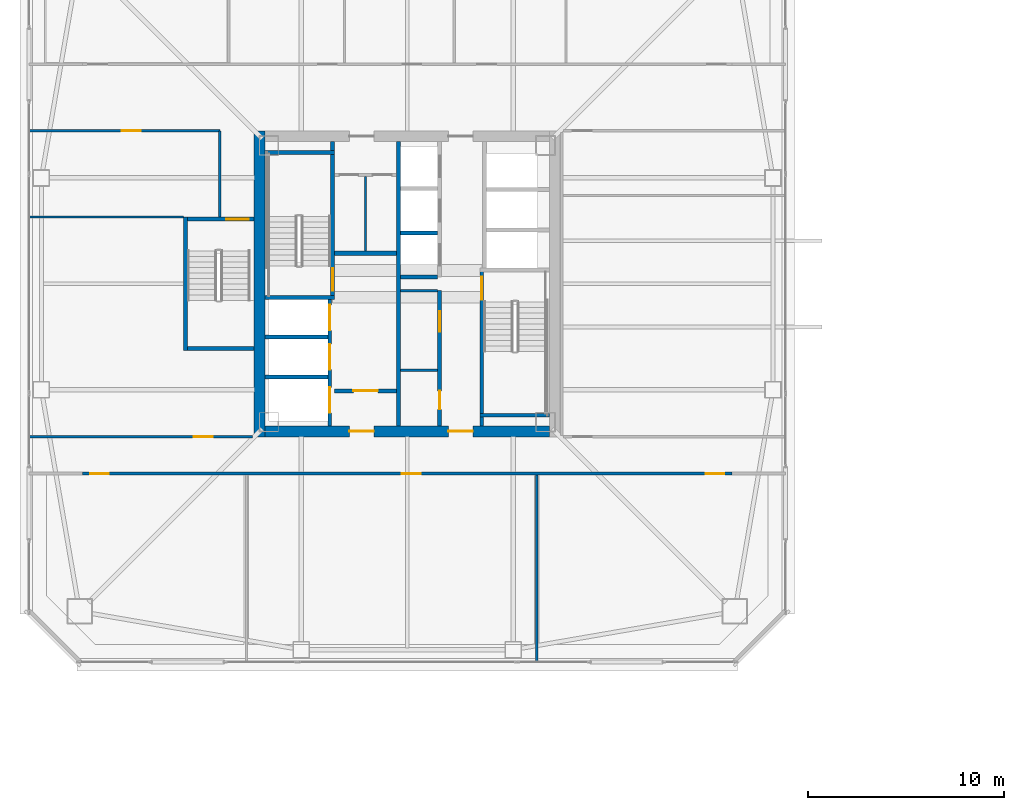
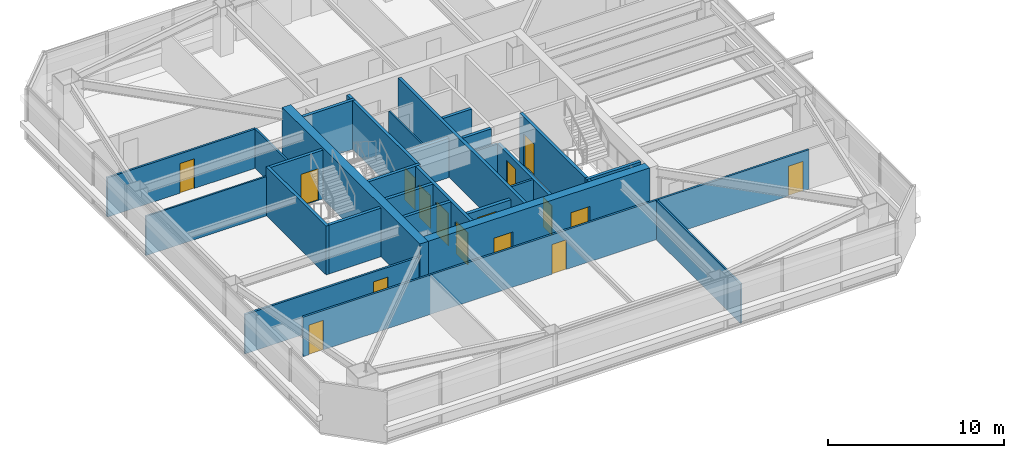
# One storey, part 36 of 46: 28 walls, 16 doors, 16 openings.
"""IFC4 building model written with IfcOpenShell, lengths in metres."""

from ifc_helpers import new_model, si_unit, direction, frame, frame_2d, origin, place, context, subcontext, project, spatial, rectangle, extrude, material, layer, layer_set, type_object, element, fill, save


model = new_model("IFC4")

# Units and contexts
model_context = context("Model", 3, precision=1e-05, world=origin(), true_north=direction((0.0, 1.0)))
body_context = subcontext(model_context, "Body", "Model", "MODEL_VIEW")
ifc_project = project(units=[si_unit("LENGTHUNIT", "METRE"), si_unit("AREAUNIT", "SQUARE_METRE"), si_unit("VOLUMEUNIT", "CUBIC_METRE"), si_unit("PLANEANGLEUNIT", "RADIAN"), si_unit("MASSUNIT", "GRAM", prefix="KILO")], contexts=[model_context])

# Site, building, storey
site_placement = place(None, origin())
site = spatial("IfcSite", under=ifc_project, at=site_placement, CompositionType="ELEMENT")
building_placement = place(site_placement, origin())
building = spatial("IfcBuilding", under=site, at=building_placement, Name="Tashvorn Skyway Center", CompositionType="ELEMENT")
storey_placement = place(building_placement, frame((0.0, 0.0, 139.25)))
storey = spatial("IfcBuildingStorey", under=building, at=storey_placement, Name="L37", CompositionType="ELEMENT", Elevation=139.25)

# Wall
ifc_material_1 = material(Name="Concrete C60/75", Category="concrete")
ifc_layer_1 = layer(ifc_material_1, 0.550048828125)
ifc_layer_set_1 = layer_set([ifc_layer_1], Name="Concrete C60/75")
wall_type_1 = type_object("IfcWallType", Name="WALL-CORE-550", PredefinedType="SHEAR", material=ifc_layer_set_1)
wall_1_placement = place(storey_placement, frame((34.47509765625, 24.199951171875, 0.0), z_axis=(0.0, 0.0, 1.0), x_axis=(0.0, 1.0, 0.0)))
element("IfcWall", 1, at=wall_1_placement, inside=storey, type_object=wall_type_1, Name="Tower 1 L37 West Core Shear Wall", PredefinedType="SHEAR", context=body_context, shape_type="SweptSolid", body=[
    extrude(rectangle(XDim=15.60009765625, YDim=0.550048828125, at=frame_2d((7.800048828125, 0.0))), origin(), (0.0, 0.0, 1.0), 3.550048828125),
])

# Wall, openings, doors
wall_2_placement = place(storey_placement, frame((49.25, 24.47509765625, 0.0), z_axis=(0.0, 0.0, 1.0), x_axis=(-1.0, 0.0, 0.0)))
wall_2 = element("IfcWall", 2, at=wall_2_placement, inside=storey, type_object=wall_type_1, Name="Tower 1 L37 South Core Shear Wall", PredefinedType="SHEAR", context=body_context, shape_type="SweptSolid", body=[
    extrude(rectangle(XDim=14.5, YDim=0.550048828125, at=frame_2d((7.25, 0.0))), origin(), (0.0, 0.0, 1.0), 3.550048828125),
])
opening_1_placement = place(wall_2_placement, frame((8.949951171875, 0.0, 0.0)))
opening_1 = element("IfcOpeningElement", 3, at=opening_1_placement, cuts=wall_2, Name="Opening D-FFL-1250", PredefinedType="OPENING", context=body_context, shape_type="SweptSolid", body=[
    extrude(rectangle(XDim=1.25, YDim=2.25, at=frame_2d((0.625, 1.125))), frame((0.0, 0.284912109375, 0.0), z_axis=(0.0, -1.0, 0.0), x_axis=(1.0, 0.0, 0.0)), (0.0, 0.0, 1.0), 0.570068359375),
])
opening_2_placement = place(wall_2_placement, frame((3.89990234375, 0.0, 0.0)))
opening_2 = element("IfcOpeningElement", 4, at=opening_2_placement, cuts=wall_2, Name="Opening D-FFL-1250", PredefinedType="OPENING", context=body_context, shape_type="SweptSolid", body=[
    extrude(rectangle(XDim=1.25, YDim=2.25, at=frame_2d((0.625, 1.125))), frame((0.0, 0.284912109375, 0.0), z_axis=(0.0, -1.0, 0.0), x_axis=(1.0, 0.0, 0.0)), (0.0, 0.0, 1.0), 0.570068359375),
])
ifc_material_2 = material(Name="Hollow galvanized steel fire door assembly", Category="steel")
door_type_1 = type_object("IfcDoorType", Name="DOOR-FFL-1250", OperationType="NOTDEFINED", PredefinedType="DOOR", material=ifc_material_2)
door_1_placement = place(opening_1_placement, origin())
door_1 = element("IfcDoor", 5, at=door_1_placement, inside=storey, type_object=door_type_1, Name="Tower 1 L37 Core South Firefighting Exit Door", OperationType="SINGLE_SWING_LEFT", OverallHeight=2.25, OverallWidth=1.25, PredefinedType="DOOR", context=body_context, shape_type="SweptSolid", body=[
    extrude(rectangle(XDim=1.25, YDim=2.25, at=frame_2d((0.625, 1.125))), frame((0.0, 0.02490234375, 0.0), z_axis=(0.0, -1.0, 0.0), x_axis=(1.0, 0.0, 0.0)), (0.0, 0.0, 1.0), 0.050048828125),
])
fill(opening_1, door_1)
door_2_placement = place(opening_2_placement, origin())
door_2 = element("IfcDoor", 6, at=door_2_placement, inside=storey, type_object=door_type_1, Name="Tower 1 L37 Core South Lift Lobby Door", OperationType="SINGLE_SWING_RIGHT", OverallHeight=2.25, OverallWidth=1.25, PredefinedType="DOOR", context=body_context, shape_type="SweptSolid", body=[
    extrude(rectangle(XDim=1.25, YDim=2.25, at=frame_2d((0.625, 1.125))), frame((0.0, 0.02490234375, 0.0), z_axis=(0.0, -1.0, 0.0), x_axis=(1.0, 0.0, 0.0)), (0.0, 0.0, 1.0), 0.050048828125),
])
fill(opening_2, door_2)

# Wall
ifc_material_3 = material(Name="Concrete C40/50", Category="concrete")
ifc_layer_2 = layer(ifc_material_3, 0.219970703125)
ifc_layer_set_2 = layer_set([ifc_layer_2], Name="Concrete C40/50")
wall_type_2 = type_object("IfcWallType", Name="WALL-FFL-220", PredefinedType="SOLIDWALL", material=ifc_layer_set_2)
wall_3_placement = place(storey_placement, frame((38.300048828125, 33.56005859375, 0.0), z_axis=(0.0, 0.0, 1.0), x_axis=(1.0, 0.0, 0.0)))
element("IfcWall", 7, at=wall_3_placement, inside=storey, type_object=wall_type_2, Name="Tower 1 L37 Firefighting Lobby North Wall", PredefinedType="SOLIDWALL", context=body_context, shape_type="SweptSolid", body=[
    extrude(rectangle(XDim=3.14990234375, YDim=0.219970703125, at=frame_2d((1.574951171875, 0.0))), origin(), (0.0, 0.0, 1.0), 2.722900390625),
])

# Wall, opening, door
wall_4_placement = place(storey_placement, frame((38.300048828125, 26.5400390625, 0.0), z_axis=(0.0, 0.0, 1.0), x_axis=(1.0, 0.0, 0.0)))
wall_4 = element("IfcWall", 8, at=wall_4_placement, inside=storey, type_object=wall_type_2, Name="Tower 1 L37 Firefighting Lobby South Wall", PredefinedType="SOLIDWALL", context=body_context, shape_type="SweptSolid", body=[
    extrude(rectangle(XDim=3.14990234375, YDim=0.219970703125, at=frame_2d((1.574951171875, 0.0))), origin(), (0.0, 0.0, 1.0), 2.722900390625),
])
opening_3_placement = place(wall_4_placement, frame((0.949951171875, 0.0, 0.0)))
opening_3 = element("IfcOpeningElement", 9, at=opening_3_placement, cuts=wall_4, Name="Opening D-FFL-1250", PredefinedType="OPENING", context=body_context, shape_type="SweptSolid", body=[
    extrude(rectangle(XDim=1.25, YDim=2.25, at=frame_2d((0.625, 1.125))), frame((0.0, 0.119873046875, 0.0), z_axis=(0.0, -1.0, 0.0), x_axis=(1.0, 0.0, 0.0)), (0.0, 0.0, 1.0), 0.239990234375),
])
door_3_placement = place(opening_3_placement, origin())
door_3 = element("IfcDoor", 10, at=door_3_placement, inside=storey, type_object=door_type_1, Name="Tower 1 L37 Firefighting Lobby Egress Door", OperationType="SINGLE_SWING_LEFT", OverallHeight=2.25, OverallWidth=1.25, PredefinedType="DOOR", context=body_context, shape_type="SweptSolid", body=[
    extrude(rectangle(XDim=1.25, YDim=2.25, at=frame_2d((0.625, 1.125))), frame((0.0, 0.02490234375, 0.0), z_axis=(0.0, -1.0, 0.0), x_axis=(1.0, 0.0, 0.0)), (0.0, 0.0, 1.0), 0.050048828125),
])
fill(opening_3, door_3)

# Walls
ifc_material_4 = material(Name="Gypsum board on cold-formed steel stud framing", Category="steel")
ifc_layer_3 = layer(ifc_material_4, 0.110107421875)
ifc_layer_set_3 = layer_set([ifc_layer_3], Name="Gypsum board on cold-formed steel stud framing")
wall_type_3 = type_object("IfcWallType", Name="WALL-PART-110", PredefinedType="PARTITIONING", material=ifc_layer_set_3)
wall_5_placement = place(storey_placement, frame((48.60009765625, 12.719970703125, 0.0), z_axis=(0.0, 0.0, 1.0), x_axis=(0.0, 1.0, 0.0)))
element("IfcWall", 11, at=wall_5_placement, inside=storey, type_object=wall_type_3, Name="Tower 1 L37 South Suite Partition 2", PredefinedType="PARTITIONING", context=body_context, shape_type="SweptSolid", body=[
    extrude(rectangle(XDim=9.530029296875, YDim=0.110107421875, at=frame_2d((4.76513671875, 0.0))), origin(), (0.0, 0.0, 1.0), 2.722900390625),
])
wall_6_placement = place(storey_placement, frame((30.60009765625, 35.39990234375, 0.0), z_axis=(0.0, 0.0, 1.0), x_axis=(-1.0, 0.0, 0.0)))
element("IfcWall", 12, at=wall_6_placement, inside=storey, type_object=wall_type_3, Name="Tower 1 L37 West Suite Partition 1", PredefinedType="PARTITIONING", context=body_context, shape_type="SweptSolid", body=[
    extrude(rectangle(XDim=7.880126953125, YDim=0.110107421875, at=frame_2d((3.93994140625, 0.0))), origin(), (0.0, 0.0, 1.0), 2.722900390625),
])
ifc_layer_4 = layer(ifc_material_4, 0.135009765625)
ifc_layer_set_4 = layer_set([ifc_layer_4], Name="Gypsum board on cold-formed steel stud framing")
wall_type_4 = type_object("IfcWallType", Name="WALL-PART-135", PredefinedType="PARTITIONING", material=ifc_layer_set_4)
wall_7_placement = place(storey_placement, frame((32.449951171875, 35.39990234375, 0.0), z_axis=(0.0, 0.0, 1.0), x_axis=(0.0, 1.0, 0.0)))
element("IfcWall", 13, at=wall_7_placement, inside=storey, type_object=wall_type_4, Name="Tower 1 L37 Stair 3 Access Corridor Wall", PredefinedType="PARTITIONING", context=body_context, shape_type="SweptSolid", body=[
    extrude(rectangle(XDim=4.400146484375, YDim=0.135009765625, at=frame_2d((2.2001953125, 0.0))), origin(), (0.0, 0.0, 1.0), 2.722900390625),
])

# Wall, openings, doors
wall_8_placement = place(storey_placement, frame((58.550048828125, 22.330078125, 0.0), z_axis=(0.0, 0.0, 1.0), x_axis=(-1.0, 0.0, 0.0)))
wall_8 = element("IfcWall", 14, at=wall_8_placement, inside=storey, type_object=wall_type_4, Name="Tower 1 L37 South Suite Wall", PredefinedType="PARTITIONING", context=body_context, shape_type="SweptSolid", body=[
    extrude(rectangle(XDim=33.10009765625, YDim=0.135009765625, at=frame_2d((16.550048828125, 0.0))), origin(), (0.0, 0.0, 1.0), 2.722900390625),
])
opening_4_placement = place(wall_8_placement, frame((31.77001953125, 0.0, 0.0)))
opening_4 = element("IfcOpeningElement", 15, at=opening_4_placement, cuts=wall_8, Name="Opening D-INT-950", PredefinedType="OPENING", context=body_context, shape_type="SweptSolid", body=[
    extrude(rectangle(XDim=0.949951171875, YDim=2.050048828125, at=frame_2d((0.47509765625, 1.02490234375))), frame((0.0, 0.077392578125, 0.0), z_axis=(0.0, -1.0, 0.0), x_axis=(1.0, 0.0, 0.0)), (0.0, 0.0, 1.0), 0.155029296875),
])
opening_5_placement = place(wall_8_placement, frame((15.8681640625, 0.0, 0.0)))
opening_5 = element("IfcOpeningElement", 16, at=opening_5_placement, cuts=wall_8, Name="Opening D-INT-950", PredefinedType="OPENING", context=body_context, shape_type="SweptSolid", body=[
    extrude(rectangle(XDim=0.949951171875, YDim=2.050048828125, at=frame_2d((0.47509765625, 1.02490234375))), frame((0.0, 0.077392578125, 0.0), z_axis=(0.0, -1.0, 0.0), x_axis=(1.0, 0.0, 0.0)), (0.0, 0.0, 1.0), 0.155029296875),
])
opening_6_placement = place(wall_8_placement, frame((0.3798828125, 0.0, 0.0)))
opening_6 = element("IfcOpeningElement", 17, at=opening_6_placement, cuts=wall_8, Name="Opening D-INT-950", PredefinedType="OPENING", context=body_context, shape_type="SweptSolid", body=[
    extrude(rectangle(XDim=0.949951171875, YDim=2.050048828125, at=frame_2d((0.47509765625, 1.02490234375))), frame((0.0, 0.077392578125, 0.0), z_axis=(0.0, -1.0, 0.0), x_axis=(1.0, 0.0, 0.0)), (0.0, 0.0, 1.0), 0.155029296875),
])
ifc_material_5 = material(Name="Solid-core architectural oak veneer door")
door_type_2 = type_object("IfcDoorType", Name="DOOR-INT-950", OperationType="NOTDEFINED", PredefinedType="DOOR", material=ifc_material_5)
door_4_placement = place(opening_4_placement, origin())
door_4 = element("IfcDoor", 18, at=door_4_placement, inside=storey, type_object=door_type_2, Name="Tower 1 L37 Research Library Door", OperationType="SINGLE_SWING_LEFT", OverallHeight=2.050048828125, OverallWidth=0.949951171875, PredefinedType="DOOR", context=body_context, shape_type="SweptSolid", body=[
    extrude(rectangle(XDim=0.949951171875, YDim=2.050048828125, at=frame_2d((0.47509765625, 1.02490234375))), frame((0.0, 0.02490234375, 0.0), z_axis=(0.0, -1.0, 0.0), x_axis=(1.0, 0.0, 0.0)), (0.0, 0.0, 1.0), 0.050048828125),
])
fill(opening_4, door_4)
door_5_placement = place(opening_5_placement, origin())
door_5 = element("IfcDoor", 19, at=door_5_placement, inside=storey, type_object=door_type_2, Name="Tower 1 L37 Security Control Room Door", OperationType="SINGLE_SWING_RIGHT", OverallHeight=2.050048828125, OverallWidth=0.949951171875, PredefinedType="DOOR", context=body_context, shape_type="SweptSolid", body=[
    extrude(rectangle(XDim=0.949951171875, YDim=2.050048828125, at=frame_2d((0.47509765625, 1.02490234375))), frame((0.0, 0.02490234375, 0.0), z_axis=(0.0, -1.0, 0.0), x_axis=(1.0, 0.0, 0.0)), (0.0, 0.0, 1.0), 0.050048828125),
])
fill(opening_5, door_5)
door_6_placement = place(opening_6_placement, origin())
door_6 = element("IfcDoor", 20, at=door_6_placement, inside=storey, type_object=door_type_2, Name="Tower 1 L37 Security Control Room Door", OperationType="SINGLE_SWING_LEFT", OverallHeight=2.050048828125, OverallWidth=0.949951171875, PredefinedType="DOOR", context=body_context, shape_type="SweptSolid", body=[
    extrude(rectangle(XDim=0.949951171875, YDim=2.050048828125, at=frame_2d((0.47509765625, 1.02490234375))), frame((0.0, 0.02490234375, 0.0), z_axis=(0.0, -1.0, 0.0), x_axis=(1.0, 0.0, 0.0)), (0.0, 0.0, 1.0), 0.050048828125),
])
fill(opening_6, door_6)

# Wall, opening, door
wall_9_placement = place(storey_placement, frame((32.449951171875, 39.800048828125, 0.0), z_axis=(0.0, 0.0, 1.0), x_axis=(-1.0, 0.0, 0.0)))
wall_9 = element("IfcWall", 21, at=wall_9_placement, inside=storey, type_object=wall_type_4, Name="Tower 1 L37 West Suite North Wall", PredefinedType="PARTITIONING", context=body_context, shape_type="SweptSolid", body=[
    extrude(rectangle(XDim=9.72998046875, YDim=0.135009765625, at=frame_2d((4.864990234375, 0.0))), origin(), (0.0, 0.0, 1.0), 2.722900390625),
])
opening_7_placement = place(wall_9_placement, frame((4.0400390625, 0.0, 0.0)))
opening_7 = element("IfcOpeningElement", 22, at=opening_7_placement, cuts=wall_9, Name="Opening D-INT-950", PredefinedType="OPENING", context=body_context, shape_type="SweptSolid", body=[
    extrude(rectangle(XDim=0.949951171875, YDim=2.050048828125, at=frame_2d((0.47509765625, 1.02490234375))), frame((0.0, 0.077392578125, 0.0), z_axis=(0.0, -1.0, 0.0), x_axis=(1.0, 0.0, 0.0)), (0.0, 0.0, 1.0), 0.155029296875),
])
door_7_placement = place(opening_7_placement, origin())
door_7 = element("IfcDoor", 23, at=door_7_placement, inside=storey, type_object=door_type_2, Name="Tower 1 L37 Design Studio Door", OperationType="SINGLE_SWING_RIGHT", OverallHeight=2.050048828125, OverallWidth=0.949951171875, PredefinedType="DOOR", context=body_context, shape_type="SweptSolid", body=[
    extrude(rectangle(XDim=0.949951171875, YDim=2.050048828125, at=frame_2d((0.47509765625, 1.02490234375))), frame((0.0, 0.02490234375, 0.0), z_axis=(0.0, -1.0, 0.0), x_axis=(1.0, 0.0, 0.0)), (0.0, 0.0, 1.0), 0.050048828125),
])
fill(opening_7, door_7)

wall_10_placement = place(storey_placement, frame((22.719970703125, 24.199951171875, 0.0), z_axis=(0.0, 0.0, 1.0), x_axis=(1.0, 0.0, 0.0)))
wall_10 = element("IfcWall", 24, at=wall_10_placement, inside=storey, type_object=wall_type_4, Name="Tower 1 L37 West Suite South Wall", PredefinedType="PARTITIONING", context=body_context, shape_type="SweptSolid", body=[
    extrude(rectangle(XDim=11.400146484375, YDim=0.135009765625, at=frame_2d((5.7001953125, 0.0))), origin(), (0.0, 0.0, 1.0), 2.722900390625),
])
opening_8_placement = place(wall_10_placement, frame((8.405029296875, 0.0, 0.0)))
opening_8 = element("IfcOpeningElement", 25, at=opening_8_placement, cuts=wall_10, Name="Opening D-INT-950", PredefinedType="OPENING", context=body_context, shape_type="SweptSolid", body=[
    extrude(rectangle(XDim=0.949951171875, YDim=2.050048828125, at=frame_2d((0.47509765625, 1.02490234375))), frame((0.0, 0.077392578125, 0.0), z_axis=(0.0, -1.0, 0.0), x_axis=(1.0, 0.0, 0.0)), (0.0, 0.0, 1.0), 0.155029296875),
])
door_8_placement = place(opening_8_placement, origin())
door_8 = element("IfcDoor", 26, at=door_8_placement, inside=storey, type_object=door_type_2, Name="Tower 1 L37 Public Restroom Door", OperationType="SINGLE_SWING_LEFT", OverallHeight=2.050048828125, OverallWidth=0.949951171875, PredefinedType="DOOR", context=body_context, shape_type="SweptSolid", body=[
    extrude(rectangle(XDim=0.949951171875, YDim=2.050048828125, at=frame_2d((0.47509765625, 1.02490234375))), frame((0.0, 0.02490234375, 0.0), z_axis=(0.0, -1.0, 0.0), x_axis=(1.0, 0.0, 0.0)), (0.0, 0.0, 1.0), 0.050048828125),
])
fill(opening_8, door_8)

# Walls
ifc_layer_5 = layer(ifc_material_4, 0.110107421875)
ifc_layer_set_5 = layer_set([ifc_layer_5], Name="Gypsum board on cold-formed steel stud framing")
wall_type_5 = type_object("IfcWallType", Name="WALL-RATED-110", PredefinedType="PARTITIONING", material=ifc_layer_set_5)
wall_11_placement = place(storey_placement, frame((39.8798828125, 33.679931640625, 0.0), z_axis=(0.0, 0.0, 1.0), x_axis=(0.0, 1.0, 0.0)))
element("IfcWall", 27, at=wall_11_placement, inside=storey, type_object=wall_type_5, Name="Tower 1 L37 Core Split Partition", PredefinedType="PARTITIONING", context=body_context, shape_type="SweptSolid", body=[
    extrude(rectangle(XDim=3.800048828125, YDim=0.110107421875, at=frame_2d((1.89990234375, 0.0))), origin(), (0.0, 0.0, 1.0), 2.722900390625),
])
ifc_layer_6 = layer(ifc_material_4, 0.135009765625)
ifc_layer_set_6 = layer_set([ifc_layer_6], Name="Gypsum board on cold-formed steel stud framing")
wall_type_6 = type_object("IfcWallType", Name="WALL-RATED-135", PredefinedType="PARTITIONING", material=ifc_layer_set_6)
for number, where, z_axis, x_axis, name in (
    (28, (41.669921875, 31.64990234375, 0.0), (0.0, 0.0, 1.0), (1.0, 0.0, 0.0), "Tower 1 L37 Core Room Partition"),
    (29, (41.669921875, 27.60009765625, 0.0), (0.0, 0.0, 1.0), (1.0, 0.0, 0.0), "Tower 1 L37 Freed Core Partition"),
):
    element("IfcWall", number, at=place(storey_placement, frame(where, z_axis=z_axis, x_axis=x_axis)), inside=storey, type_object=wall_type_6, Name=name, PredefinedType="PARTITIONING", context=body_context, shape_type="SweptSolid", body=[
        extrude(rectangle(XDim=1.880126953125, YDim=0.135009765625, at=frame_2d((0.93994140625, 0.0))), origin(), (0.0, 0.0, 1.0), 2.722900390625),
    ])
ifc_layer_7 = layer(ifc_material_3, 0.199951171875)
ifc_layer_set_7 = layer_set([ifc_layer_7], Name="Concrete C40/50")
wall_type_7 = type_object("IfcWallType", Name="WALL-SHAFT-200", PredefinedType="SOLIDWALL", material=ifc_layer_set_7)
for number, where, z_axis, x_axis, name in (
    (30, (34.75, 27.25, 0.0), (0.0, 0.0, 1.0), (1.0, 0.0, 0.0), "Tower 1 L37 FSAE Shaft Divider"),
    (31, (34.75, 29.280029296875, 0.0), (0.0, 0.0, 1.0), (1.0, 0.0, 0.0), "Tower 1 L37 FSAE Shaft Divider"),
):
    element("IfcWall", number, at=place(storey_placement, frame(where, z_axis=z_axis, x_axis=x_axis)), inside=storey, type_object=wall_type_7, Name=name, PredefinedType="SOLIDWALL", context=body_context, shape_type="SweptSolid", body=[
        extrude(rectangle(XDim=3.199951171875, YDim=0.199951171875, at=frame_2d((1.60009765625, 0.0))), origin(), (0.0, 0.0, 1.0), 3.3701171875),
    ])

# Wall, openings, doors
wall_12_placement = place(storey_placement, frame((43.64990234375, 24.75, 0.0), z_axis=(0.0, 0.0, 1.0), x_axis=(0.0, 1.0, 0.0)))
wall_12 = element("IfcWall", 32, at=wall_12_placement, inside=storey, type_object=wall_type_7, Name="Tower 1 L37 Low-Rise Core Wall", PredefinedType="SOLIDWALL", context=body_context, shape_type="SweptSolid", body=[
    extrude(rectangle(XDim=6.89990234375, YDim=0.199951171875, at=frame_2d((3.449951171875, 0.0))), origin(), (0.0, 0.0, 1.0), 2.722900390625),
])
opening_9_placement = place(wall_12_placement, frame((0.85009765625, 0.0, 0.0)))
opening_9 = element("IfcOpeningElement", 33, at=opening_9_placement, cuts=wall_12, Name="Opening D-RT-950", PredefinedType="OPENING", context=body_context, shape_type="SweptSolid", body=[
    extrude(rectangle(XDim=0.949951171875, YDim=2.050048828125, at=frame_2d((0.47509765625, 1.02490234375))), frame((0.0, 0.10986328125, 0.0), z_axis=(0.0, -1.0, 0.0), x_axis=(1.0, 0.0, 0.0)), (0.0, 0.0, 1.0), 0.219970703125),
])
opening_10_placement = place(wall_12_placement, frame((4.800048828125, 0.0, 0.0)))
opening_10 = element("IfcOpeningElement", 34, at=opening_10_placement, cuts=wall_12, Name="Opening D-RT-1050", PredefinedType="OPENING", context=body_context, shape_type="SweptSolid", body=[
    extrude(rectangle(XDim=1.050048828125, YDim=2.199951171875, at=frame_2d((0.52490234375, 1.10009765625))), frame((0.0, 0.10986328125, 0.0), z_axis=(0.0, -1.0, 0.0), x_axis=(1.0, 0.0, 0.0)), (0.0, 0.0, 1.0), 0.219970703125),
])
door_type_3 = type_object("IfcDoorType", Name="DOOR-RATED-1050", OperationType="NOTDEFINED", PredefinedType="DOOR", material=ifc_material_2)
door_9_placement = place(opening_10_placement, origin())
door_9 = element("IfcDoor", 35, at=door_9_placement, inside=storey, type_object=door_type_3, Name="Tower 1 L37 Freed Core Room Door", OperationType="SINGLE_SWING_RIGHT", OverallHeight=2.199951171875, OverallWidth=1.050048828125, PredefinedType="DOOR", context=body_context, shape_type="SweptSolid", body=[
    extrude(rectangle(XDim=1.050048828125, YDim=2.199951171875, at=frame_2d((0.52490234375, 1.10009765625))), frame((0.0, 0.02490234375, 0.0), z_axis=(0.0, -1.0, 0.0), x_axis=(1.0, 0.0, 0.0)), (0.0, 0.0, 1.0), 0.050048828125),
])
fill(opening_10, door_9)
door_type_4 = type_object("IfcDoorType", Name="DOOR-RATED-950", OperationType="NOTDEFINED", PredefinedType="DOOR", material=ifc_material_2)
door_10_placement = place(opening_9_placement, origin())
door_10 = element("IfcDoor", 36, at=door_10_placement, inside=storey, type_object=door_type_4, Name="Tower 1 L37 Core Print Room Door", OperationType="SINGLE_SWING_LEFT", OverallHeight=2.050048828125, OverallWidth=0.949951171875, PredefinedType="DOOR", context=body_context, shape_type="SweptSolid", body=[
    extrude(rectangle(XDim=0.949951171875, YDim=2.050048828125, at=frame_2d((0.47509765625, 1.02490234375))), frame((0.0, 0.02490234375, 0.0), z_axis=(0.0, -1.0, 0.0), x_axis=(1.0, 0.0, 0.0)), (0.0, 0.0, 1.0), 0.050048828125),
])
fill(opening_9, door_10)

# Walls
for number, where, z_axis, x_axis, name in (
    (37, (41.669921875, 32.35009765625, 0.0), (0.0, 0.0, 1.0), (1.0, 0.0, 0.0), "Tower 1 L37 Mid-Rise Shaft Divider"),
    (38, (41.669921875, 34.60009765625, 0.0), (0.0, 0.0, 1.0), (1.0, 0.0, 0.0), "Tower 1 L37 Mid-Rise Shaft Divider"),
):
    element("IfcWall", number, at=place(storey_placement, frame(where, z_axis=z_axis, x_axis=x_axis)), inside=storey, type_object=wall_type_7, Name=name, PredefinedType="SOLIDWALL", context=body_context, shape_type="SweptSolid", body=[
        extrude(rectangle(XDim=1.880126953125, YDim=0.199951171875, at=frame_2d((0.93994140625, 0.0))), origin(), (0.0, 0.0, 1.0), 3.3701171875),
    ])

# Wall, opening, door
ifc_layer_8 = layer(ifc_material_3, 0.199951171875)
ifc_layer_set_8 = layer_set([ifc_layer_8], Name="Concrete C40/50")
wall_type_8 = type_object("IfcWallType", Name="WALL-STSHF-200", PredefinedType="SHEAR", material=ifc_layer_set_8)
wall_13_placement = place(storey_placement, frame((38.199951171875, 31.199951171875, 0.0), z_axis=(0.0, 0.0, 1.0), x_axis=(0.0, 1.0, 0.0)))
wall_13 = element("IfcWall", 39, at=wall_13_placement, inside=storey, type_object=wall_type_8, Name="Tower 1 L37 Stair 1 Enclosure Wall", PredefinedType="SHEAR", context=body_context, shape_type="SweptSolid", body=[
    extrude(rectangle(XDim=8.050048828125, YDim=0.199951171875, at=frame_2d((4.02490234375, 0.0))), origin(), (0.0, 0.0, 1.0), 3.3701171875),
])
opening_11_placement = place(wall_13_placement, frame((0.449951171875, 0.0, 0.0)))
opening_11 = element("IfcOpeningElement", 40, at=opening_11_placement, cuts=wall_13, Name="Opening D-ST-1150", PredefinedType="OPENING", context=body_context, shape_type="SweptSolid", body=[
    extrude(rectangle(XDim=1.14990234375, YDim=2.199951171875, at=frame_2d((0.574951171875, 1.10009765625))), frame((0.0, 0.10986328125, 0.0), z_axis=(0.0, -1.0, 0.0), x_axis=(1.0, 0.0, 0.0)), (0.0, 0.0, 1.0), 0.219970703125),
])
door_type_5 = type_object("IfcDoorType", Name="DOOR-STAIR-1150", OperationType="NOTDEFINED", PredefinedType="DOOR", material=ifc_material_2)
door_11_placement = place(opening_11_placement, origin())
door_11 = element("IfcDoor", 41, at=door_11_placement, inside=storey, type_object=door_type_5, Name="Tower 1 L37 Exit Stair 1 Door", OperationType="SINGLE_SWING_RIGHT", OverallHeight=2.199951171875, OverallWidth=1.14990234375, PredefinedType="DOOR", context=body_context, shape_type="SweptSolid", body=[
    extrude(rectangle(XDim=1.14990234375, YDim=2.199951171875, at=frame_2d((0.574951171875, 1.10009765625))), frame((0.0, 0.02490234375, 0.0), z_axis=(0.0, -1.0, 0.0), x_axis=(1.0, 0.0, 0.0)), (0.0, 0.0, 1.0), 0.050048828125),
])
fill(opening_11, door_11)

# Walls
for number, where, z_axis, x_axis, name in (
    (42, (34.75, 31.300048828125, 0.0), (0.0, 0.0, 1.0), (1.0, 0.0, 0.0), "Tower 1 L37 Stair 1 South Wall"),
    (43, (34.75, 38.699951171875, 0.0), (0.0, 0.0, 1.0), (1.0, 0.0, 0.0), "Tower 1 L37 Stair 1 North Wall"),
):
    element("IfcWall", number, at=place(storey_placement, frame(where, z_axis=z_axis, x_axis=x_axis)), inside=storey, type_object=wall_type_8, Name=name, PredefinedType="SHEAR", context=body_context, shape_type="SweptSolid", body=[
        extrude(rectangle(XDim=3.550048828125, YDim=0.199951171875, at=frame_2d((1.77490234375, 0.0))), origin(), (0.0, 0.0, 1.0), 3.3701171875),
    ])

# Wall, opening, door
wall_14_placement = place(storey_placement, frame((45.800048828125, 32.800048828125, 0.0), z_axis=(0.0, 0.0, 1.0), x_axis=(0.0, -1.0, 0.0)))
wall_14 = element("IfcWall", 44, at=wall_14_placement, inside=storey, type_object=wall_type_8, Name="Tower 1 L37 Stair 2 Enclosure Wall", PredefinedType="SHEAR", context=body_context, shape_type="SweptSolid", body=[
    extrude(rectangle(XDim=8.050048828125, YDim=0.199951171875, at=frame_2d((4.02490234375, 0.0))), origin(), (0.0, 0.0, 1.0), 3.3701171875),
])
opening_12_placement = place(wall_14_placement, frame((0.449951171875, 0.0, 0.0)))
opening_12 = element("IfcOpeningElement", 45, at=opening_12_placement, cuts=wall_14, Name="Opening D-ST-1150", PredefinedType="OPENING", context=body_context, shape_type="SweptSolid", body=[
    extrude(rectangle(XDim=1.14990234375, YDim=2.199951171875, at=frame_2d((0.574951171875, 1.10009765625))), frame((0.0, 0.10986328125, 0.0), z_axis=(0.0, -1.0, 0.0), x_axis=(1.0, 0.0, 0.0)), (0.0, 0.0, 1.0), 0.219970703125),
])
door_12_placement = place(opening_12_placement, origin())
door_12 = element("IfcDoor", 46, at=door_12_placement, inside=storey, type_object=door_type_5, Name="Tower 1 L37 Exit Stair 2 Door", OperationType="SINGLE_SWING_RIGHT", OverallHeight=2.199951171875, OverallWidth=1.14990234375, PredefinedType="DOOR", context=body_context, shape_type="SweptSolid", body=[
    extrude(rectangle(XDim=1.14990234375, YDim=2.199951171875, at=frame_2d((0.574951171875, 1.10009765625))), frame((0.0, 0.02490234375, 0.0), z_axis=(0.0, -1.0, 0.0), x_axis=(1.0, 0.0, 0.0)), (0.0, 0.0, 1.0), 0.050048828125),
])
fill(opening_12, door_12)

# Walls
wall_15_placement = place(storey_placement, frame((45.699951171875, 25.300048828125, 0.0), z_axis=(0.0, 0.0, 1.0), x_axis=(1.0, 0.0, 0.0)))
element("IfcWall", 47, at=wall_15_placement, inside=storey, type_object=wall_type_8, Name="Tower 1 L37 Stair 2 South Wall", PredefinedType="SHEAR", context=body_context, shape_type="SweptSolid", body=[
    extrude(rectangle(XDim=3.550048828125, YDim=0.199951171875, at=frame_2d((1.77490234375, 0.0))), origin(), (0.0, 0.0, 1.0), 3.3701171875),
])
wall_16_placement = place(storey_placement, frame((41.56005859375, 24.75, 0.0), z_axis=(0.0, 0.0, 1.0), x_axis=(0.0, 1.0, 0.0)))
element("IfcWall", 48, at=wall_16_placement, inside=storey, type_object=wall_type_8, Name="Tower 1 L37 Firefighting Lobby East Smoke Barrier", PredefinedType="SHEAR", context=body_context, shape_type="SweptSolid", body=[
    extrude(rectangle(XDim=14.5, YDim=0.199951171875, at=frame_2d((7.25, 0.0))), origin(), (0.0, 0.0, 1.0), 3.3701171875),
])

# Wall, openings, doors
wall_17_placement = place(storey_placement, frame((38.050048828125, 24.75, 0.0), z_axis=(0.0, 0.0, 1.0), x_axis=(0.0, 1.0, 0.0)))
wall_17 = element("IfcWall", 49, at=wall_17_placement, inside=storey, type_object=wall_type_8, Name="Tower 1 L37 FSAE and Goods Shaft Front Wall", PredefinedType="SHEAR", context=body_context, shape_type="SweptSolid", body=[
    extrude(rectangle(XDim=6.449951171875, YDim=0.199951171875, at=frame_2d((3.22509765625, 0.0))), origin(), (0.0, 0.0, 1.0), 3.3701171875),
])
opening_13_placement = place(wall_17_placement, frame((4.875, 0.0, 0.0)))
opening_13 = element("IfcOpeningElement", 50, at=opening_13_placement, cuts=wall_17, Name="Opening LD-FF-T1-1-L37", PredefinedType="OPENING", context=body_context, shape_type="SweptSolid", body=[
    extrude(rectangle(XDim=1.300048828125, YDim=2.25, at=frame_2d((0.64990234375, 1.125))), frame((0.0, 0.10986328125, 0.0), z_axis=(0.0, -1.0, 0.0), x_axis=(1.0, 0.0, 0.0)), (0.0, 0.0, 1.0), 0.219970703125),
])
opening_14_placement = place(wall_17_placement, frame((2.875, 0.0, 0.0)))
opening_14 = element("IfcOpeningElement", 51, at=opening_14_placement, cuts=wall_17, Name="Opening LD-FF-T1-2-L37", PredefinedType="OPENING", context=body_context, shape_type="SweptSolid", body=[
    extrude(rectangle(XDim=1.300048828125, YDim=2.25, at=frame_2d((0.64990234375, 1.125))), frame((0.0, 0.10986328125, 0.0), z_axis=(0.0, -1.0, 0.0), x_axis=(1.0, 0.0, 0.0)), (0.0, 0.0, 1.0), 0.219970703125),
])
opening_15_placement = place(wall_17_placement, frame((0.675048828125, 0.0, 0.0)))
opening_15 = element("IfcOpeningElement", 52, at=opening_15_placement, cuts=wall_17, Name="Opening LD-GD-T1-1-L37", PredefinedType="OPENING", context=body_context, shape_type="SweptSolid", body=[
    extrude(rectangle(XDim=1.300048828125, YDim=2.25, at=frame_2d((0.64990234375, 1.125))), frame((0.0, 0.10986328125, 0.0), z_axis=(0.0, -1.0, 0.0), x_axis=(1.0, 0.0, 0.0)), (0.0, 0.0, 1.0), 0.219970703125),
])
ifc_material_6 = material(Name="Stainless steel heavy-duty landing door", Category="steel")
door_type_6 = type_object("IfcDoorType", Name="DOOR-LIFT-1300", OperationType="SLIDING_TO_LEFT", PredefinedType="DOOR", material=ifc_material_6)
door_13_placement = place(opening_13_placement, origin())
door_13 = element("IfcDoor", 53, at=door_13_placement, inside=storey, type_object=door_type_6, Name="Lift FF-T1-1 L37 Landing Door", OperationType="SLIDING_TO_LEFT", OverallHeight=2.25, OverallWidth=1.300048828125, PredefinedType="DOOR", context=body_context, shape_type="SweptSolid", body=[
    extrude(rectangle(XDim=1.300048828125, YDim=2.25, at=frame_2d((0.64990234375, 1.125))), frame((0.0, 0.02490234375, 0.0), z_axis=(0.0, -1.0, 0.0), x_axis=(1.0, 0.0, 0.0)), (0.0, 0.0, 1.0), 0.050048828125),
])
fill(opening_13, door_13)
door_14_placement = place(opening_14_placement, origin())
door_14 = element("IfcDoor", 54, at=door_14_placement, inside=storey, type_object=door_type_6, Name="Lift FF-T1-2 L37 Landing Door", OperationType="SLIDING_TO_LEFT", OverallHeight=2.25, OverallWidth=1.300048828125, PredefinedType="DOOR", context=body_context, shape_type="SweptSolid", body=[
    extrude(rectangle(XDim=1.300048828125, YDim=2.25, at=frame_2d((0.64990234375, 1.125))), frame((0.0, 0.02490234375, 0.0), z_axis=(0.0, -1.0, 0.0), x_axis=(1.0, 0.0, 0.0)), (0.0, 0.0, 1.0), 0.050048828125),
])
fill(opening_14, door_14)
door_15_placement = place(opening_15_placement, origin())
door_15 = element("IfcDoor", 55, at=door_15_placement, inside=storey, type_object=door_type_6, Name="Lift GD-T1-1 L37 Landing Door", OperationType="SLIDING_TO_LEFT", OverallHeight=2.25, OverallWidth=1.300048828125, PredefinedType="DOOR", context=body_context, shape_type="SweptSolid", body=[
    extrude(rectangle(XDim=1.300048828125, YDim=2.25, at=frame_2d((0.64990234375, 1.125))), frame((0.0, 0.02490234375, 0.0), z_axis=(0.0, -1.0, 0.0), x_axis=(1.0, 0.0, 0.0)), (0.0, 0.0, 1.0), 0.050048828125),
])
fill(opening_15, door_15)

# Wall
wall_18_placement = place(storey_placement, frame((30.699951171875, 28.60009765625, 0.0), z_axis=(0.0, 0.0, 1.0), x_axis=(0.0, 1.0, 0.0)))
element("IfcWall", 56, at=wall_18_placement, inside=storey, type_object=wall_type_8, Name="Tower 1 L37 Stair 3 Outer Wall", PredefinedType="SHEAR", context=body_context, shape_type="SweptSolid", body=[
    extrude(rectangle(XDim=6.7998046875, YDim=0.199951171875, at=frame_2d((3.39990234375, 0.0))), origin(), (0.0, 0.0, 1.0), 3.3701171875),
])

# Wall, opening, door
wall_19_placement = place(storey_placement, frame((34.199951171875, 35.300048828125, 0.0), z_axis=(0.0, 0.0, 1.0), x_axis=(-1.0, 0.0, 0.0)))
wall_19 = element("IfcWall", 57, at=wall_19_placement, inside=storey, type_object=wall_type_8, Name="Tower 1 L37 Stair 3 Enclosure Wall", PredefinedType="SHEAR", context=body_context, shape_type="SweptSolid", body=[
    extrude(rectangle(XDim=3.39990234375, YDim=0.199951171875, at=frame_2d((1.699951171875, 0.0))), origin(), (0.0, 0.0, 1.0), 3.3701171875),
])
opening_16_placement = place(wall_19_placement, frame((0.27490234375, 0.0, 0.0)))
opening_16 = element("IfcOpeningElement", 58, at=opening_16_placement, cuts=wall_19, Name="Opening D-ST-1150", PredefinedType="OPENING", context=body_context, shape_type="SweptSolid", body=[
    extrude(rectangle(XDim=1.14990234375, YDim=2.199951171875, at=frame_2d((0.574951171875, 1.10009765625))), frame((0.0, 0.10986328125, 0.0), z_axis=(0.0, -1.0, 0.0), x_axis=(1.0, 0.0, 0.0)), (0.0, 0.0, 1.0), 0.219970703125),
])
door_16_placement = place(opening_16_placement, origin())
door_16 = element("IfcDoor", 59, at=door_16_placement, inside=storey, type_object=door_type_5, Name="Tower 1 L37 Exit Stair 3 Door", OperationType="SINGLE_SWING_RIGHT", OverallHeight=2.199951171875, OverallWidth=1.14990234375, PredefinedType="DOOR", context=body_context, shape_type="SweptSolid", body=[
    extrude(rectangle(XDim=1.14990234375, YDim=2.199951171875, at=frame_2d((0.574951171875, 1.10009765625))), frame((0.0, 0.02490234375, 0.0), z_axis=(0.0, -1.0, 0.0), x_axis=(1.0, 0.0, 0.0)), (0.0, 0.0, 1.0), 0.050048828125),
])
fill(opening_16, door_16)

# Wall
wall_20_placement = place(storey_placement, frame((30.800048828125, 28.699951171875, 0.0), z_axis=(0.0, 0.0, 1.0), x_axis=(1.0, 0.0, 0.0)))
element("IfcWall", 60, at=wall_20_placement, inside=storey, type_object=wall_type_8, Name="Tower 1 L37 Stair 3 South Wall", PredefinedType="SHEAR", context=body_context, shape_type="SweptSolid", body=[
    extrude(rectangle(XDim=3.39990234375, YDim=0.199951171875, at=frame_2d((1.699951171875, 0.0))), origin(), (0.0, 0.0, 1.0), 3.3701171875),
])

save(model, "model.ifc")
